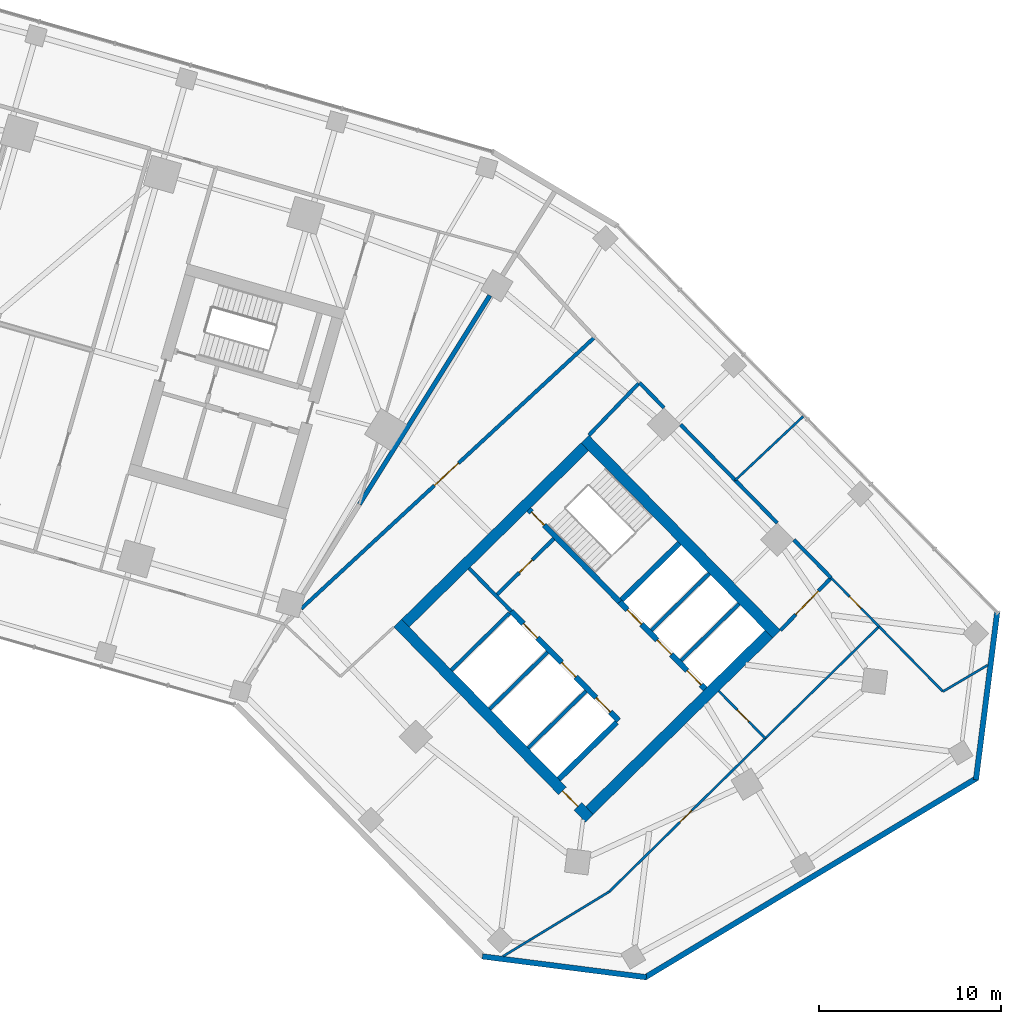
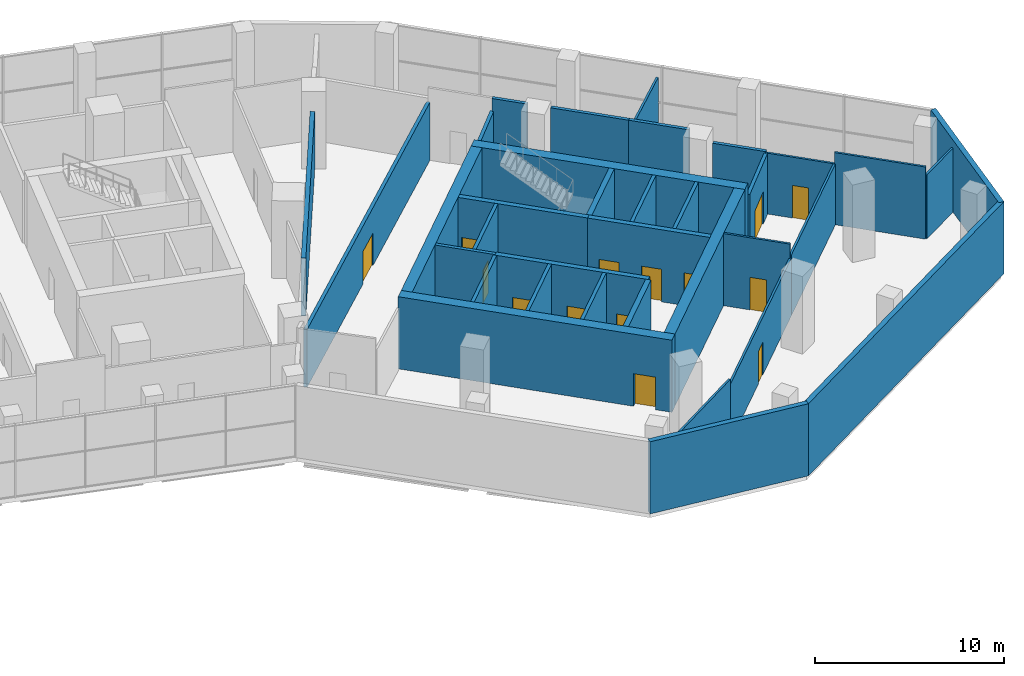
# One storey, part 14 of 18: 35 walls, 14 doors, 14 openings.
"""IFC4 building model written with IfcOpenShell, lengths in metres."""

from ifc_helpers import new_model, si_unit, direction, frame, frame_2d, origin, place, context, subcontext, project, spatial, rectangle, extrude, material, layer, layer_set, type_object, element, fill, save


model = new_model("IFC4")

# Units and contexts
model_context = context("Model", 3, precision=1e-05, world=origin(), true_north=direction((0.0, 1.0)))
body_context = subcontext(model_context, "Body", "Model", "MODEL_VIEW")
ifc_project = project(units=[si_unit("LENGTHUNIT", "METRE"), si_unit("AREAUNIT", "SQUARE_METRE"), si_unit("VOLUMEUNIT", "CUBIC_METRE"), si_unit("PLANEANGLEUNIT", "RADIAN"), si_unit("MASSUNIT", "GRAM", prefix="KILO")], contexts=[model_context])

# Site, building, storey
site_placement = place(None, origin())
site = spatial("IfcSite", under=ifc_project, at=site_placement, CompositionType="ELEMENT")
building_placement = place(site_placement, origin())
building = spatial("IfcBuilding", under=site, at=building_placement, Name="Binnacle Exchange Tower", CompositionType="ELEMENT")
storey_placement = place(building_placement, frame((0.0, 0.0, 11.5)))
storey = spatial("IfcBuildingStorey", under=building, at=storey_placement, Name="L02", CompositionType="ELEMENT", Elevation=11.5)

# Wall, openings, doors
ifc_material_1 = material(Name="Concrete C70/85", Category="concrete")
ifc_layer_1 = layer(ifc_material_1, 0.300048828125)
ifc_layer_set_1 = layer_set([ifc_layer_1], Name="Core wall - front 300")
wall_type_1 = type_object("IfcWallType", Name="Core wall - front 300", PredefinedType="SOLIDWALL", material=ifc_layer_set_1)
wall_1_placement = place(storey_placement, frame((37.8740234375, 41.41552734375, 0.0), z_axis=(0.0, 0.0, 1.0), x_axis=(0.700918271237, -0.71324159795, 0.0)))
wall_1 = element("IfcWall", 1, at=wall_1_placement, inside=storey, type_object=wall_type_1, Name="Core wall CRWB3", PredefinedType="SOLIDWALL", context=body_context, shape_type="SweptSolid", body=[
    extrude(rectangle(XDim=8.39990234375, YDim=0.300048828125, at=frame_2d((4.199951171875, 0.0))), origin(), (0.0, 0.0, 1.0), 4.64990234375),
])
opening_1_placement = place(wall_1_placement, frame((0.949951171875, 0.0, 0.0)))
opening_1 = element("IfcOpeningElement", 2, at=opening_1_placement, cuts=wall_1, Name="Opening LD15", PredefinedType="OPENING", context=body_context, shape_type="SweptSolid", body=[
    extrude(rectangle(XDim=1.10009765625, YDim=2.10009765625, at=frame_2d((0.550048828125, 1.050048828125))), frame((0.0, 0.159912109375, 0.0), z_axis=(0.0, -1.0, 0.0), x_axis=(1.0, 0.0, 0.0)), (0.0, 0.0, 1.0), 0.320068359375),
])
opening_2_placement = place(wall_1_placement, frame((3.949951171875, 0.0, 0.0)))
opening_2 = element("IfcOpeningElement", 3, at=opening_2_placement, cuts=wall_1, Name="Opening LD16", PredefinedType="OPENING", context=body_context, shape_type="SweptSolid", body=[
    extrude(rectangle(XDim=1.10009765625, YDim=2.10009765625, at=frame_2d((0.550048828125, 1.050048828125))), frame((0.0, 0.159912109375, 0.0), z_axis=(0.0, -1.0, 0.0), x_axis=(1.0, 0.0, 0.0)), (0.0, 0.0, 1.0), 0.320068359375),
])
opening_3_placement = place(wall_1_placement, frame((6.64990234375, 0.0, 0.0)))
opening_3 = element("IfcOpeningElement", 4, at=opening_3_placement, cuts=wall_1, Name="Opening LD4", PredefinedType="OPENING", context=body_context, shape_type="SweptSolid", body=[
    extrude(rectangle(XDim=1.10009765625, YDim=2.10009765625, at=frame_2d((0.550048828125, 1.050048828125))), frame((0.0, 0.159912109375, 0.0), z_axis=(0.0, -1.0, 0.0), x_axis=(1.0, 0.0, 0.0)), (0.0, 0.0, 1.0), 0.320068359375),
])
ifc_material_2 = material(Name="Steel door leaf", Category="steel")
door_type_1 = type_object("IfcDoorType", Name="Fire door - lift landing 1100", OperationType="NOTDEFINED", PredefinedType="DOOR", material=ifc_material_2)
door_1_placement = place(opening_1_placement, origin())
door_1 = element("IfcDoor", 5, at=door_1_placement, inside=storey, type_object=door_type_1, Name="Landing door LD15 L02", OperationType="DOUBLE_DOOR_SLIDING", OverallHeight=2.10009765625, OverallWidth=1.10009765625, PredefinedType="DOOR", context=body_context, shape_type="SweptSolid", body=[
    extrude(rectangle(XDim=1.10009765625, YDim=2.10009765625, at=frame_2d((0.550048828125, 1.050048828125))), frame((0.0, 0.02490234375, 0.0), z_axis=(0.0, -1.0, 0.0), x_axis=(1.0, 0.0, 0.0)), (0.0, 0.0, 1.0), 0.050048828125),
])
fill(opening_1, door_1)
door_2_placement = place(opening_2_placement, origin())
door_2 = element("IfcDoor", 6, at=door_2_placement, inside=storey, type_object=door_type_1, Name="Landing door LD16 L02", OperationType="DOUBLE_DOOR_SLIDING", OverallHeight=2.10009765625, OverallWidth=1.10009765625, PredefinedType="DOOR", context=body_context, shape_type="SweptSolid", body=[
    extrude(rectangle(XDim=1.10009765625, YDim=2.10009765625, at=frame_2d((0.550048828125, 1.050048828125))), frame((0.0, 0.02490234375, 0.0), z_axis=(0.0, -1.0, 0.0), x_axis=(1.0, 0.0, 0.0)), (0.0, 0.0, 1.0), 0.050048828125),
])
fill(opening_2, door_2)
door_3_placement = place(opening_3_placement, origin())
door_3 = element("IfcDoor", 7, at=door_3_placement, inside=storey, type_object=door_type_1, Name="Landing door LD4 L02", OperationType="DOUBLE_DOOR_SLIDING", OverallHeight=2.10009765625, OverallWidth=1.10009765625, PredefinedType="DOOR", context=body_context, shape_type="SweptSolid", body=[
    extrude(rectangle(XDim=1.10009765625, YDim=2.10009765625, at=frame_2d((0.550048828125, 1.050048828125))), frame((0.0, 0.02490234375, 0.0), z_axis=(0.0, -1.0, 0.0), x_axis=(1.0, 0.0, 0.0)), (0.0, 0.0, 1.0), 0.050048828125),
])
fill(opening_3, door_3)

wall_2_placement = place(storey_placement, frame((43.818603515625, 41.92919921875, 0.0), z_axis=(0.0, 0.0, 1.0), x_axis=(0.700921619155, -0.713238307862, 0.0)))
wall_2 = element("IfcWall", 8, at=wall_2_placement, inside=storey, type_object=wall_type_1, Name="Core wall CRWB5", PredefinedType="SOLIDWALL", context=body_context, shape_type="SweptSolid", body=[
    extrude(rectangle(XDim=6.69970703125, YDim=0.300048828125, at=frame_2d((3.349853515625, 0.0))), origin(), (0.0, 0.0, 1.0), 4.64990234375),
])
opening_4_placement = place(wall_2_placement, frame((0.614990234375, 0.0, 0.0)))
opening_4 = element("IfcOpeningElement", 9, at=opening_4_placement, cuts=wall_2, Name="Opening LD1", PredefinedType="OPENING", context=body_context, shape_type="SweptSolid", body=[
    extrude(rectangle(XDim=1.10009765625, YDim=2.10009765625, at=frame_2d((0.550048828125, 1.050048828125))), frame((0.0, 0.159912109375, 0.0), z_axis=(0.0, -1.0, 0.0), x_axis=(1.0, 0.0, 0.0)), (0.0, 0.0, 1.0), 0.320068359375),
])
opening_5_placement = place(wall_2_placement, frame((2.945068359375, 0.0, 0.0)))
opening_5 = element("IfcOpeningElement", 10, at=opening_5_placement, cuts=wall_2, Name="Opening LD2", PredefinedType="OPENING", context=body_context, shape_type="SweptSolid", body=[
    extrude(rectangle(XDim=1.10009765625, YDim=2.10009765625, at=frame_2d((0.550048828125, 1.050048828125))), frame((0.0, 0.159912109375, 0.0), z_axis=(0.0, -1.0, 0.0), x_axis=(1.0, 0.0, 0.0)), (0.0, 0.0, 1.0), 0.320068359375),
])
opening_6_placement = place(wall_2_placement, frame((5.280029296875, 0.0, 0.0)))
opening_6 = element("IfcOpeningElement", 11, at=opening_6_placement, cuts=wall_2, Name="Opening LD3", PredefinedType="OPENING", context=body_context, shape_type="SweptSolid", body=[
    extrude(rectangle(XDim=1.10009765625, YDim=2.10009765625, at=frame_2d((0.550048828125, 1.050048828125))), frame((0.0, 0.159912109375, 0.0), z_axis=(0.0, -1.0, 0.0), x_axis=(1.0, 0.0, 0.0)), (0.0, 0.0, 1.0), 0.320068359375),
])
door_4_placement = place(opening_4_placement, origin())
door_4 = element("IfcDoor", 12, at=door_4_placement, inside=storey, type_object=door_type_1, Name="Landing door LD1 L02", OperationType="DOUBLE_DOOR_SLIDING", OverallHeight=2.10009765625, OverallWidth=1.10009765625, PredefinedType="DOOR", context=body_context, shape_type="SweptSolid", body=[
    extrude(rectangle(XDim=1.10009765625, YDim=2.10009765625, at=frame_2d((0.550048828125, 1.050048828125))), frame((0.0, 0.02490234375, 0.0), z_axis=(0.0, -1.0, 0.0), x_axis=(1.0, 0.0, 0.0)), (0.0, 0.0, 1.0), 0.050048828125),
])
fill(opening_4, door_4)
door_5_placement = place(opening_5_placement, origin())
door_5 = element("IfcDoor", 13, at=door_5_placement, inside=storey, type_object=door_type_1, Name="Landing door LD2 L02", OperationType="DOUBLE_DOOR_SLIDING", OverallHeight=2.10009765625, OverallWidth=1.10009765625, PredefinedType="DOOR", context=body_context, shape_type="SweptSolid", body=[
    extrude(rectangle(XDim=1.10009765625, YDim=2.10009765625, at=frame_2d((0.550048828125, 1.050048828125))), frame((0.0, 0.02490234375, 0.0), z_axis=(0.0, -1.0, 0.0), x_axis=(1.0, 0.0, 0.0)), (0.0, 0.0, 1.0), 0.050048828125),
])
fill(opening_5, door_5)
door_6_placement = place(opening_6_placement, origin())
door_6 = element("IfcDoor", 14, at=door_6_placement, inside=storey, type_object=door_type_1, Name="Landing door LD3 L02", OperationType="DOUBLE_DOOR_SLIDING", OverallHeight=2.10009765625, OverallWidth=1.10009765625, PredefinedType="DOOR", context=body_context, shape_type="SweptSolid", body=[
    extrude(rectangle(XDim=1.10009765625, YDim=2.10009765625, at=frame_2d((0.550048828125, 1.050048828125))), frame((0.0, 0.02490234375, 0.0), z_axis=(0.0, -1.0, 0.0), x_axis=(1.0, 0.0, 0.0)), (0.0, 0.0, 1.0), 0.050048828125),
])
fill(opening_6, door_6)

# Wall
wall_3_placement = place(storey_placement, frame((40.480712890625, 32.199951171875, 0.0), z_axis=(0.0, 0.0, 1.0), x_axis=(0.713251741427, 0.700907949271, 0.0)))
element("IfcWall", 15, at=wall_3_placement, inside=storey, type_object=wall_type_1, Name="Core wall CRWB14", PredefinedType="SOLIDWALL", context=body_context, shape_type="SweptSolid", body=[
    extrude(rectangle(XDim=4.4501953125, YDim=0.300048828125, at=frame_2d((2.22509765625, 0.0))), origin(), (0.0, 0.0, 1.0), 4.64990234375),
])

# Wall, opening, door
ifc_layer_2 = layer(ifc_material_1, 0.60009765625)
ifc_layer_set_2 = layer_set([ifc_layer_2], Name="Core wall - outer 600")
wall_type_2 = type_object("IfcWallType", Name="Core wall - outer 600", PredefinedType="SOLIDWALL", material=ifc_layer_set_2)
wall_4_placement = place(storey_placement, frame((31.6455078125, 40.7626953125, 0.0), z_axis=(0.0, 0.0, 1.0), x_axis=(0.700911255944, -0.713248491965, 0.0)))
wall_4 = element("IfcWall", 16, at=wall_4_placement, inside=storey, type_object=wall_type_2, Name="Core wall CRWB1", PredefinedType="SOLIDWALL", context=body_context, shape_type="SweptSolid", body=[
    extrude(rectangle(XDim=15.0, YDim=0.60009765625, at=frame_2d((7.5, 0.0))), origin(), (0.0, 0.0, 1.0), 4.64990234375),
])
opening_7_placement = place(wall_4_placement, frame((12.89990234375, 0.0, 0.0)))
opening_7 = element("IfcOpeningElement", 17, at=opening_7_placement, cuts=wall_4, Name="Opening DB7", PredefinedType="OPENING", context=body_context, shape_type="SweptSolid", body=[
    extrude(rectangle(XDim=1.199951171875, YDim=2.10009765625, at=frame_2d((0.60009765625, 1.050048828125))), frame((0.0, 0.31005859375, 0.0), z_axis=(0.0, -1.0, 0.0), x_axis=(1.0, 0.0, 0.0)), (0.0, 0.0, 1.0), 0.6201171875),
])
door_type_2 = type_object("IfcDoorType", Name="Fire door 1200", OperationType="NOTDEFINED", PredefinedType="DOOR", material=ifc_material_2)
door_7_placement = place(opening_7_placement, frame((1.199951171875, 0.0, 0.0), z_axis=(0.0, 0.0, 1.0), x_axis=(-1.0, 0.0, 0.0)))
door_7 = element("IfcDoor", 18, at=door_7_placement, inside=storey, type_object=door_type_2, Name="Lift lobby entrance door core B", OperationType="SINGLE_SWING_LEFT", OverallHeight=2.10009765625, OverallWidth=1.199951171875, PredefinedType="DOOR", context=body_context, shape_type="SweptSolid", body=[
    extrude(rectangle(XDim=1.199951171875, YDim=2.10009765625, at=frame_2d((0.60009765625, 1.050048828125))), frame((0.0, 0.02490234375, 0.0), z_axis=(0.0, -1.0, 0.0), x_axis=(1.0, 0.0, 0.0)), (0.0, 0.0, 1.0), 0.050048828125),
])
fill(opening_7, door_7)

# Walls
wall_5_placement = place(storey_placement, frame((41.91650390625, 50.855712890625, 0.0), z_axis=(0.0, 0.0, 1.0), x_axis=(0.700911255944, -0.713248491965, 0.0)))
element("IfcWall", 19, at=wall_5_placement, inside=storey, type_object=wall_type_2, Name="Core wall CRWB6", PredefinedType="SOLIDWALL", context=body_context, shape_type="SweptSolid", body=[
    extrude(rectangle(XDim=15.0, YDim=0.60009765625, at=frame_2d((7.5, 0.0))), origin(), (0.0, 0.0, 1.0), 4.64990234375),
])
for number, where, z_axis, x_axis, name in (
    (20, (32.06982421875, 40.759033203125, 0.0), (0.0, 0.0, 1.0), (0.713245344712, 0.70091445858, 0.0), "Core wall CRWB7"),
    (21, (42.1630859375, 30.48828125, 0.0), (0.0, 0.0, 1.0), (0.713245344712, 0.70091445858, 0.0), "Core wall CRWB16"),
):
    element("IfcWall", number, at=place(storey_placement, frame(where, z_axis=z_axis, x_axis=x_axis)), inside=storey, type_object=wall_type_2, Name=name, PredefinedType="SOLIDWALL", context=body_context, shape_type="SweptSolid", body=[
        extrude(rectangle(XDim=13.800048828125, YDim=0.60009765625, at=frame_2d((6.89990234375, 0.0))), origin(), (0.0, 0.0, 1.0), 4.64990234375),
    ])

# Wall, opening, door
ifc_layer_3 = layer(ifc_material_1, 0.300048828125)
ifc_layer_set_3 = layer_set([ifc_layer_3], Name="Core wall - stair 300")
wall_type_3 = type_object("IfcWallType", Name="Core wall - stair 300", PredefinedType="SOLIDWALL", material=ifc_layer_set_3)
wall_6_placement = place(storey_placement, frame((38.842041015625, 46.993408203125, 0.0), z_axis=(0.0, 0.0, 1.0), x_axis=(0.700907701701, -0.713251984713, 0.0)))
wall_6 = element("IfcWall", 22, at=wall_6_placement, inside=storey, type_object=wall_type_3, Name="Core wall CRWB4", PredefinedType="SOLIDWALL", context=body_context, shape_type="SweptSolid", body=[
    extrude(rectangle(XDim=7.10009765625, YDim=0.300048828125, at=frame_2d((3.550048828125, 0.0))), origin(), (0.0, 0.0, 1.0), 4.64990234375),
])
opening_8_placement = place(wall_6_placement, frame((0.199951171875, 0.0, 0.0)))
opening_8 = element("IfcOpeningElement", 23, at=opening_8_placement, cuts=wall_6, Name="Opening DB1", PredefinedType="OPENING", context=body_context, shape_type="SweptSolid", body=[
    extrude(rectangle(XDim=1.0, YDim=2.10009765625, at=frame_2d((0.5, 1.050048828125))), frame((0.0, 0.159912109375, 0.0), z_axis=(0.0, -1.0, 0.0), x_axis=(1.0, 0.0, 0.0)), (0.0, 0.0, 1.0), 0.320068359375),
])
door_type_3 = type_object("IfcDoorType", Name="Fire door 1000", OperationType="NOTDEFINED", PredefinedType="DOOR", material=ifc_material_2)
door_8_placement = place(opening_8_placement, origin())
door_8 = element("IfcDoor", 24, at=door_8_placement, inside=storey, type_object=door_type_3, Name="Stair door ST-B1", OperationType="SINGLE_SWING_LEFT", OverallHeight=2.10009765625, OverallWidth=1.0, PredefinedType="DOOR", context=body_context, shape_type="SweptSolid", body=[
    extrude(rectangle(XDim=1.0, YDim=2.10009765625, at=frame_2d((0.5, 1.050048828125))), frame((0.0, 0.02490234375, 0.0), z_axis=(0.0, -1.0, 0.0), x_axis=(1.0, 0.0, 0.0)), (0.0, 0.0, 1.0), 0.050048828125),
])
fill(opening_8, door_8)

# Walls
wall_7_placement = place(storey_placement, frame((43.925537109375, 42.034423828125, 0.0), z_axis=(0.0, 0.0, 1.0), x_axis=(0.713251741427, 0.700907949271, 0.0)))
element("IfcWall", 25, at=wall_7_placement, inside=storey, type_object=wall_type_3, Name="Core wall CRWB11", PredefinedType="SOLIDWALL", context=body_context, shape_type="SweptSolid", body=[
    extrude(rectangle(XDim=4.4501953125, YDim=0.300048828125, at=frame_2d((2.22509765625, 0.0))), origin(), (0.0, 0.0, 1.0), 4.64990234375),
])
ifc_material_3 = material(Name="Bronze aluminium louvre", Category="aluminium")
ifc_layer_4 = layer(ifc_material_3, 0.300048828125)
ifc_layer_set_4 = layer_set([ifc_layer_4], Name="External wall - podium louvre 300")
wall_type_4 = type_object("IfcWallType", Name="External wall - podium louvre 300", PredefinedType="STANDARD", material=ifc_layer_set_4)
wall_8_placement = place(storey_placement, frame((45.28466796875, 21.339111328125, 0.0), z_axis=(0.0, 0.0, 1.0), x_axis=(-0.992004224696, 0.126204667844, 0.0)))
element("IfcWall", 26, at=wall_8_placement, inside=storey, type_object=wall_type_4, Name="External wall EW-P09 L02", PredefinedType="STANDARD", context=body_context, shape_type="SweptSolid", body=[
    extrude(rectangle(XDim=9.06884765625, YDim=0.300048828125, at=frame_2d((4.534423828125, 0.0))), origin(), (0.0, 0.0, 1.0), 4.64990234375),
])
wall_9_placement = place(storey_placement, frame((63.432373046875, 32.28076171875, 0.0), z_axis=(0.0, 0.0, 1.0), x_axis=(-0.85716989082, -0.515033764206, 0.0)))
element("IfcWall", 27, at=wall_9_placement, inside=storey, type_object=wall_type_4, Name="External wall EW-P10 L02", PredefinedType="STANDARD", context=body_context, shape_type="SweptSolid", body=[
    extrude(rectangle(XDim=21.283935546875, YDim=0.300048828125, at=frame_2d((10.64208984375, 0.0))), origin(), (0.0, 0.0, 1.0), 4.64990234375),
])
wall_10_placement = place(storey_placement, frame((64.5341796875, 41.39453125, 0.0), z_axis=(0.0, 0.0, 1.0), x_axis=(-0.126196492818, -0.992005264704, 0.0)))
element("IfcWall", 28, at=wall_10_placement, inside=storey, type_object=wall_type_4, Name="External wall EW-P11 L02", PredefinedType="STANDARD", context=body_context, shape_type="SweptSolid", body=[
    extrude(rectangle(XDim=9.297607421875, YDim=0.300048828125, at=frame_2d((4.64892578125, 0.0))), origin(), (0.0, 0.0, 1.0), 4.64990234375),
])

# Wall, opening, door
ifc_material_4 = material(Name="Masonry block wall", Category="masonry")
ifc_layer_5 = layer(ifc_material_4, 0.199951171875)
ifc_layer_set_5 = layer_set([ifc_layer_5], Name="Fire wall - block 200")
wall_type_5 = type_object("IfcWallType", Name="Fire wall - block 200", PredefinedType="PARTITIONING", material=ifc_layer_set_5)
wall_11_placement = place(storey_placement, frame((26.35595703125, 41.556884765625, 0.0), z_axis=(0.0, 0.0, 1.0), x_axis=(0.734047402287, 0.679098233834, 0.0)))
wall_11 = element("IfcWall", 29, at=wall_11_placement, inside=storey, type_object=wall_type_5, Name="Partition W71", PredefinedType="PARTITIONING", context=body_context, shape_type="SweptSolid", body=[
    extrude(rectangle(XDim=21.92626953125, YDim=0.199951171875, at=frame_2d((10.963134765625, 0.0))), origin(), (0.0, 0.0, 1.0), 3.72998046875),
])
opening_9_placement = place(wall_11_placement, frame((9.949951171875, 0.0, 0.0)))
opening_9 = element("IfcOpeningElement", 30, at=opening_9_placement, cuts=wall_11, Name="Opening DL01-29", PredefinedType="OPENING", context=body_context, shape_type="SweptSolid", body=[
    extrude(rectangle(XDim=1.800048828125, YDim=2.10009765625, at=frame_2d((0.89990234375, 1.050048828125))), frame((0.0, 0.10986328125, 0.0), z_axis=(0.0, -1.0, 0.0), x_axis=(1.0, 0.0, 0.0)), (0.0, 0.0, 1.0), 0.219970703125),
])
door_type_4 = type_object("IfcDoorType", Name="Fire door 1800", OperationType="NOTDEFINED", PredefinedType="DOOR", material=ifc_material_2)
door_9_placement = place(opening_9_placement, origin())
door_9 = element("IfcDoor", 31, at=door_9_placement, inside=storey, type_object=door_type_4, Name="Door DL01-29", OperationType="DOUBLE_DOOR_SINGLE_SWING", OverallHeight=2.10009765625, OverallWidth=1.800048828125, PredefinedType="DOOR", context=body_context, shape_type="SweptSolid", body=[
    extrude(rectangle(XDim=1.800048828125, YDim=2.10009765625, at=frame_2d((0.89990234375, 1.050048828125))), frame((0.0, 0.02490234375, 0.0), z_axis=(0.0, -1.0, 0.0), x_axis=(1.0, 0.0, 0.0)), (0.0, 0.0, 1.0), 0.050048828125),
])
fill(opening_9, door_9)

# Walls
wall_12_placement = place(storey_placement, frame((42.1298828125, 51.06591796875, 0.0), z_axis=(0.0, 0.0, 1.0), x_axis=(0.693124563472, 0.720817826855, 0.0)))
element("IfcWall", 32, at=wall_12_placement, inside=storey, type_object=wall_type_5, Name="Partition W84", PredefinedType="PARTITIONING", context=body_context, shape_type="SweptSolid", body=[
    extrude(rectangle(XDim=4.00244140625, YDim=0.199951171875, at=frame_2d((2.001220703125, 0.0))), origin(), (0.0, 0.0, 1.0), 3.830078125),
])
wall_13_placement = place(storey_placement, frame((44.904052734375, 53.950927734375, 0.0), z_axis=(0.0, 0.0, 1.0), x_axis=(0.7008501288, -0.713308556629, 0.0)))
element("IfcWall", 33, at=wall_13_placement, inside=storey, type_object=wall_type_5, Name="Partition W87", PredefinedType="PARTITIONING", context=body_context, shape_type="SweptSolid", body=[
    extrude(rectangle(XDim=1.92041015625, YDim=0.199951171875, at=frame_2d((0.960205078125, 0.0))), origin(), (0.0, 0.0, 1.0), 4.64990234375),
])
wall_14_placement = place(storey_placement, frame((47.162109375, 51.654052734375, 0.0), z_axis=(0.0, 0.0, 1.0), x_axis=(0.700745868246, -0.713410981228, 0.0)))
element("IfcWall", 34, at=wall_14_placement, inside=storey, type_object=wall_type_5, Name="Partition W88", PredefinedType="PARTITIONING", context=body_context, shape_type="SweptSolid", body=[
    extrude(rectangle(XDim=4.279296875, YDim=0.199951171875, at=frame_2d((2.1396484375, 0.0))), origin(), (0.0, 0.0, 1.0), 4.64990234375),
])
wall_15_placement = place(storey_placement, frame((50.160888671875, 48.60107421875, 0.0), z_axis=(0.0, 0.0, 1.0), x_axis=(0.701000458272, -0.713160821626, 0.0)))
element("IfcWall", 35, at=wall_15_placement, inside=storey, type_object=wall_type_5, Name="Partition W90", PredefinedType="PARTITIONING", context=body_context, shape_type="SweptSolid", body=[
    extrude(rectangle(XDim=3.29248046875, YDim=0.199951171875, at=frame_2d((1.646240234375, 0.0))), origin(), (0.0, 0.0, 1.0), 4.64990234375),
])

# Wall, opening, door
wall_16_placement = place(storey_placement, frame((52.64404296875, 40.366943359375, 0.0), z_axis=(0.0, 0.0, 1.0), x_axis=(0.693092868026, 0.720848303245, 0.0)))
wall_16 = element("IfcWall", 36, at=wall_16_placement, inside=storey, type_object=wall_type_5, Name="Partition W93", PredefinedType="PARTITIONING", context=body_context, shape_type="SweptSolid", body=[
    extrude(rectangle(XDim=4.002197265625, YDim=0.199951171875, at=frame_2d((2.0009765625, 0.0))), origin(), (0.0, 0.0, 1.0), 3.922119140625),
])
opening_10_placement = place(wall_16_placement, frame((1.199951171875, 0.0, 0.0)))
opening_10 = element("IfcOpeningElement", 37, at=opening_10_placement, cuts=wall_16, Name="Opening DL01-31", PredefinedType="OPENING", context=body_context, shape_type="SweptSolid", body=[
    extrude(rectangle(XDim=1.800048828125, YDim=2.10009765625, at=frame_2d((0.89990234375, 1.050048828125))), frame((0.0, 0.10986328125, 0.0), z_axis=(0.0, -1.0, 0.0), x_axis=(1.0, 0.0, 0.0)), (0.0, 0.0, 1.0), 0.219970703125),
])
door_10_placement = place(opening_10_placement, origin())
door_10 = element("IfcDoor", 38, at=door_10_placement, inside=storey, type_object=door_type_4, Name="Door DL01-31", OperationType="DOUBLE_DOOR_SINGLE_SWING", OverallHeight=2.10009765625, OverallWidth=1.800048828125, PredefinedType="DOOR", context=body_context, shape_type="SweptSolid", body=[
    extrude(rectangle(XDim=1.800048828125, YDim=2.10009765625, at=frame_2d((0.89990234375, 1.050048828125))), frame((0.0, 0.02490234375, 0.0), z_axis=(0.0, -1.0, 0.0), x_axis=(1.0, 0.0, 0.0)), (0.0, 0.0, 1.0), 0.050048828125),
])
fill(opening_10, door_10)

# Walls
wall_17_placement = place(storey_placement, frame((53.3798828125, 45.325927734375, 0.0), z_axis=(0.0, 0.0, 1.0), x_axis=(0.700908698341, -0.71325100532, 0.0)))
element("IfcWall", 39, at=wall_17_placement, inside=storey, type_object=wall_type_5, Name="Partition W94", PredefinedType="PARTITIONING", context=body_context, shape_type="SweptSolid", body=[
    extrude(rectangle(XDim=2.90771484375, YDim=0.199951171875, at=frame_2d((1.453857421875, 0.0))), origin(), (0.0, 0.0, 1.0), 4.030029296875),
])
ifc_material_5 = material(Name="Concrete fire wall C30/37", Category="concrete")
ifc_layer_6 = layer(ifc_material_5, 0.25)
ifc_layer_set_6 = layer_set([ifc_layer_6], Name="Fire wall - compartment 250")
wall_type_6 = type_object("IfcWallType", Name="Fire wall - compartment 250", PredefinedType="PARTITIONING", material=ifc_layer_set_6)
wall_18_placement = place(storey_placement, frame((29.54296875, 47.279052734375, 0.0), z_axis=(0.0, 0.0, 1.0), x_axis=(0.529929076845, 0.848041964477, 0.0)))
element("IfcWall", 40, at=wall_18_placement, inside=storey, type_object=wall_type_6, Name="Fire Wall W76", PredefinedType="PARTITIONING", context=body_context, shape_type="SweptSolid", body=[
    extrude(rectangle(XDim=13.50732421875, YDim=0.25, at=frame_2d((6.753662109375, 0.0))), origin(), (0.0, 0.0, 1.0), 3.72998046875),
])

# Wall, opening, door
ifc_layer_7 = layer(ifc_material_4, 0.199951171875)
ifc_layer_set_7 = layer_set([ifc_layer_7], Name="Fire wall - vestibule 200")
wall_type_7 = type_object("IfcWallType", Name="Fire wall - vestibule 200", PredefinedType="PARTITIONING", material=ifc_layer_set_7)
wall_19_placement = place(storey_placement, frame((37.104248046875, 42.341552734375, 0.0), z_axis=(0.0, 0.0, 1.0), x_axis=(0.713281298468, 0.700877870428, 0.0)))
wall_19 = element("IfcWall", 41, at=wall_19_placement, inside=storey, type_object=wall_type_7, Name="Core wall CRWB8", PredefinedType="PARTITIONING", context=body_context, shape_type="SweptSolid", body=[
    extrude(rectangle(XDim=4.35009765625, YDim=0.199951171875, at=frame_2d((2.175048828125, 0.0))), origin(), (0.0, 0.0, 1.0), 4.64990234375),
])
opening_11_placement = place(wall_19_placement, frame((1.699951171875, 0.0, 0.0)))
opening_11 = element("IfcOpeningElement", 42, at=opening_11_placement, cuts=wall_19, Name="Opening DB3", PredefinedType="OPENING", context=body_context, shape_type="SweptSolid", body=[
    extrude(rectangle(XDim=1.0, YDim=2.10009765625, at=frame_2d((0.5, 1.050048828125))), frame((0.0, 0.10986328125, 0.0), z_axis=(0.0, -1.0, 0.0), x_axis=(1.0, 0.0, 0.0)), (0.0, 0.0, 1.0), 0.219970703125),
])
door_11_placement = place(opening_11_placement, origin())
door_11 = element("IfcDoor", 43, at=door_11_placement, inside=storey, type_object=door_type_3, Name="Vestibule door VEST-W", OperationType="SINGLE_SWING_RIGHT", OverallHeight=2.10009765625, OverallWidth=1.0, PredefinedType="DOOR", context=body_context, shape_type="SweptSolid", body=[
    extrude(rectangle(XDim=1.0, YDim=2.10009765625, at=frame_2d((0.5, 1.050048828125))), frame((0.0, 0.02490234375, 0.0), z_axis=(0.0, -1.0, 0.0), x_axis=(1.0, 0.0, 0.0)), (0.0, 0.0, 1.0), 0.050048828125),
])
fill(opening_11, door_11)

# Wall
ifc_material_6 = material(Name="Gypsum partition")
ifc_layer_8 = layer(ifc_material_6, 0.125)
ifc_layer_set_8 = layer_set([ifc_layer_8], Name="Partition 125")
wall_type_8 = type_object("IfcWallType", Name="Partition 125", PredefinedType="PARTITIONING", material=ifc_layer_set_8)
wall_20_placement = place(storey_placement, frame((37.426025390625, 22.489990234375, 0.0), z_axis=(0.0, 0.0, 1.0), x_axis=(0.854177797602, 0.519981047812, 0.0)))
element("IfcWall", 44, at=wall_20_placement, inside=storey, type_object=wall_type_8, Name="Partition W81", PredefinedType="PARTITIONING", context=body_context, shape_type="SweptSolid", body=[
    extrude(rectangle(XDim=6.813720703125, YDim=0.125, at=frame_2d((3.40673828125, 0.0))), origin(), (0.0, 0.0, 1.0), 4.02392578125),
])

# Wall, opening, door
wall_21_placement = place(storey_placement, frame((43.24609375, 26.032958984375, 0.0), z_axis=(0.0, 0.0, 1.0), x_axis=(0.713234358052, 0.700925638349, 0.0)))
wall_21 = element("IfcWall", 45, at=wall_21_placement, inside=storey, type_object=wall_type_8, Name="Partition W86", PredefinedType="PARTITIONING", context=body_context, shape_type="SweptSolid", body=[
    extrude(rectangle(XDim=12.0, YDim=0.125, at=frame_2d((6.0, 0.0))), origin(), (0.0, 0.0, 1.0), 3.718017578125),
])
opening_12_placement = place(wall_21_placement, frame((5.449951171875, 0.0, 0.0)))
opening_12 = element("IfcOpeningElement", 46, at=opening_12_placement, cuts=wall_21, Name="Opening DL01-30", PredefinedType="OPENING", context=body_context, shape_type="SweptSolid", body=[
    extrude(rectangle(XDim=0.89990234375, YDim=2.10009765625, at=frame_2d((0.449951171875, 1.050048828125))), frame((0.0, 0.072509765625, 0.0), z_axis=(0.0, -1.0, 0.0), x_axis=(1.0, 0.0, 0.0)), (0.0, 0.0, 1.0), 0.14501953125),
])
ifc_material_7 = material(Name="Timber door leaf", Category="wood")
door_type_5 = type_object("IfcDoorType", Name="Door 900", OperationType="NOTDEFINED", PredefinedType="DOOR", material=ifc_material_7)
door_12_placement = place(opening_12_placement, frame((0.89990234375, 0.0, 0.0), z_axis=(0.0, 0.0, 1.0), x_axis=(-1.0, 0.0, 0.0)))
door_12 = element("IfcDoor", 47, at=door_12_placement, inside=storey, type_object=door_type_5, Name="Door DL01-30", OperationType="SINGLE_SWING_RIGHT", OverallHeight=2.10009765625, OverallWidth=0.89990234375, PredefinedType="DOOR", context=body_context, shape_type="SweptSolid", body=[
    extrude(rectangle(XDim=0.89990234375, YDim=2.10009765625, at=frame_2d((0.449951171875, 1.050048828125))), frame((0.0, 0.02490234375, 0.0), z_axis=(0.0, -1.0, 0.0), x_axis=(1.0, 0.0, 0.0)), (0.0, 0.0, 1.0), 0.050048828125),
])
fill(opening_12, door_12)

wall_22_placement = place(storey_placement, frame((49.256103515625, 37.0380859375, 0.0), z_axis=(0.0, 0.0, 1.0), x_axis=(0.700869700408, -0.713289326325, 0.0)))
wall_22 = element("IfcWall", 48, at=wall_22_placement, inside=storey, type_object=wall_type_8, Name="Partition W89", PredefinedType="PARTITIONING", context=body_context, shape_type="SweptSolid", body=[
    extrude(rectangle(XDim=3.63671875, YDim=0.125, at=frame_2d((1.818359375, 0.0))), origin(), (0.0, 0.0, 1.0), 4.64990234375),
])
opening_13_placement = place(wall_22_placement, frame((1.449951171875, 0.0, 0.0)))
opening_13 = element("IfcOpeningElement", 49, at=opening_13_placement, cuts=wall_22, Name="Opening DL01-26", PredefinedType="OPENING", context=body_context, shape_type="SweptSolid", body=[
    extrude(rectangle(XDim=0.89990234375, YDim=2.10009765625, at=frame_2d((0.449951171875, 1.050048828125))), frame((0.0, 0.072509765625, 0.0), z_axis=(0.0, -1.0, 0.0), x_axis=(1.0, 0.0, 0.0)), (0.0, 0.0, 1.0), 0.14501953125),
])
door_13_placement = place(opening_13_placement, origin())
door_13 = element("IfcDoor", 50, at=door_13_placement, inside=storey, type_object=door_type_5, Name="Door DL01-26", OperationType="SINGLE_SWING_RIGHT", OverallHeight=2.10009765625, OverallWidth=0.89990234375, PredefinedType="DOOR", context=body_context, shape_type="SweptSolid", body=[
    extrude(rectangle(XDim=0.89990234375, YDim=2.10009765625, at=frame_2d((0.449951171875, 1.050048828125))), frame((0.0, 0.02490234375, 0.0), z_axis=(0.0, -1.0, 0.0), x_axis=(1.0, 0.0, 0.0)), (0.0, 0.0, 1.0), 0.050048828125),
])
fill(opening_13, door_13)

# Walls
wall_23_placement = place(storey_placement, frame((50.160888671875, 48.60107421875, 0.0), z_axis=(0.0, 0.0, 1.0), x_axis=(0.728418768666, 0.685132175172, 0.0)))
element("IfcWall", 51, at=wall_23_placement, inside=storey, type_object=wall_type_8, Name="Partition W91", PredefinedType="PARTITIONING", context=body_context, shape_type="SweptSolid", body=[
    extrude(rectangle(XDim=5.10986328125, YDim=0.125, at=frame_2d((2.554931640625, 0.0))), origin(), (0.0, 0.0, 1.0), 3.929931640625),
])
wall_24_placement = place(storey_placement, frame((51.804931640625, 34.444091796875, 0.0), z_axis=(0.0, 0.0, 1.0), x_axis=(0.713260075739, 0.700899468081, 0.0)))
element("IfcWall", 52, at=wall_24_placement, inside=storey, type_object=wall_type_8, Name="Partition W92", PredefinedType="PARTITIONING", context=body_context, shape_type="SweptSolid", body=[
    extrude(rectangle(XDim=8.75, YDim=0.125, at=frame_2d((4.375, 0.0))), origin(), (0.0, 0.0, 1.0), 3.922119140625),
])

# Wall, opening, door
wall_25_placement = place(storey_placement, frame((55.41796875, 43.251953125, 0.0), z_axis=(0.0, 0.0, 1.0), x_axis=(0.700796183651, -0.71336155558, 0.0)))
wall_25 = element("IfcWall", 53, at=wall_25_placement, inside=storey, type_object=wall_type_8, Name="Partition W95", PredefinedType="PARTITIONING", context=body_context, shape_type="SweptSolid", body=[
    extrude(rectangle(XDim=3.75, YDim=0.125, at=frame_2d((1.875, 0.0))), origin(), (0.0, 0.0, 1.0), 3.922119140625),
])
opening_14_placement = place(wall_25_placement, frame((1.449951171875, 0.0, 0.0)))
opening_14 = element("IfcOpeningElement", 54, at=opening_14_placement, cuts=wall_25, Name="Opening DL01-28", PredefinedType="OPENING", context=body_context, shape_type="SweptSolid", body=[
    extrude(rectangle(XDim=0.89990234375, YDim=2.10009765625, at=frame_2d((0.449951171875, 1.050048828125))), frame((0.0, 0.072509765625, 0.0), z_axis=(0.0, -1.0, 0.0), x_axis=(1.0, 0.0, 0.0)), (0.0, 0.0, 1.0), 0.14501953125),
])
door_14_placement = place(opening_14_placement, origin())
door_14 = element("IfcDoor", 55, at=door_14_placement, inside=storey, type_object=door_type_5, Name="Door DL01-28", OperationType="SINGLE_SWING_RIGHT", OverallHeight=2.10009765625, OverallWidth=0.89990234375, PredefinedType="DOOR", context=body_context, shape_type="SweptSolid", body=[
    extrude(rectangle(XDim=0.89990234375, YDim=2.10009765625, at=frame_2d((0.449951171875, 1.050048828125))), frame((0.0, 0.02490234375, 0.0), z_axis=(0.0, -1.0, 0.0), x_axis=(1.0, 0.0, 0.0)), (0.0, 0.0, 1.0), 0.050048828125),
])
fill(opening_14, door_14)

# Walls
wall_26_placement = place(storey_placement, frame((58.0458984375, 40.576904296875, 0.0), z_axis=(0.0, 0.0, 1.0), x_axis=(0.700902402088, -0.713257192566, 0.0)))
element("IfcWall", 56, at=wall_26_placement, inside=storey, type_object=wall_type_8, Name="Partition W96", PredefinedType="PARTITIONING", context=body_context, shape_type="SweptSolid", body=[
    extrude(rectangle(XDim=4.99951171875, YDim=0.125, at=frame_2d((2.499755859375, 0.0))), origin(), (0.0, 0.0, 1.0), 4.64990234375),
])
wall_27_placement = place(storey_placement, frame((61.550048828125, 37.010986328125, 0.0), z_axis=(0.0, 0.0, 1.0), x_axis=(0.86118844999, 0.508285799136, 0.0)))
element("IfcWall", 57, at=wall_27_placement, inside=storey, type_object=wall_type_8, Name="Partition W97", PredefinedType="PARTITIONING", context=body_context, shape_type="SweptSolid", body=[
    extrude(rectangle(XDim=2.8564453125, YDim=0.125, at=frame_2d((1.42822265625, 0.0))), origin(), (0.0, 0.0, 1.0), 4.1240234375),
])
ifc_layer_9 = layer(ifc_material_4, 0.199951171875)
ifc_layer_set_9 = layer_set([ifc_layer_9], Name="Riser wall 200")
wall_type_9 = type_object("IfcWallType", Name="Riser wall 200", PredefinedType="SOLIDWALL", material=ifc_layer_set_9)
wall_28_placement = place(storey_placement, frame((35.56103515625, 43.769287109375, 0.0), z_axis=(0.0, 0.0, 1.0), x_axis=(0.70090232736, -0.713257266, 0.0)))
element("IfcWall", 58, at=wall_28_placement, inside=storey, type_object=wall_type_9, Name="Core wall CRWB2", PredefinedType="SOLIDWALL", context=body_context, shape_type="SweptSolid", body=[
    extrude(rectangle(XDim=3.300048828125, YDim=0.199951171875, at=frame_2d((1.64990234375, 0.0))), origin(), (0.0, 0.0, 1.0), 4.64990234375),
])
wall_29_placement = place(storey_placement, frame((34.59326171875, 38.19140625, 0.0), z_axis=(0.0, 0.0, 1.0), x_axis=(0.713252216116, 0.700907466222, 0.0)))
element("IfcWall", 59, at=wall_29_placement, inside=storey, type_object=wall_type_9, Name="Core wall CRWB9", PredefinedType="SOLIDWALL", context=body_context, shape_type="SweptSolid", body=[
    extrude(rectangle(XDim=4.44970703125, YDim=0.199951171875, at=frame_2d((2.224853515625, 0.0))), origin(), (0.0, 0.0, 1.0), 4.64990234375),
])
ifc_layer_10 = layer(ifc_material_4, 0.199951171875)
ifc_layer_set_10 = layer_set([ifc_layer_10], Name="Shaft wall 200")
wall_type_10 = type_object("IfcWallType", Name="Shaft wall 200", PredefinedType="SOLIDWALL", material=ifc_layer_set_10)
for number, where, z_axis, x_axis, name in (
    (60, (36.69580078125, 36.051513671875, 0.0), (0.0, 0.0, 1.0), (0.713251741427, 0.700907949271, 0.0), "Core wall CRWB10"),
    (61, (38.798583984375, 33.911865234375, 0.0), (0.0, 0.0, 1.0), (0.713251741427, 0.700907949271, 0.0), "Core wall CRWB12"),
    (62, (45.55859375, 40.37255859375, 0.0), (0.0, 0.0, 1.0), (0.713251741427, 0.700907949271, 0.0), "Core wall CRWB13"),
    (63, (47.191650390625, 38.710693359375, 0.0), (0.0, 0.0, 1.0), (0.713251741427, 0.700907949271, 0.0), "Core wall CRWB15"),
):
    element("IfcWall", number, at=place(storey_placement, frame(where, z_axis=z_axis, x_axis=x_axis)), inside=storey, type_object=wall_type_10, Name=name, PredefinedType="SOLIDWALL", context=body_context, shape_type="SweptSolid", body=[
        extrude(rectangle(XDim=4.4501953125, YDim=0.199951171875, at=frame_2d((2.22509765625, 0.0))), origin(), (0.0, 0.0, 1.0), 4.64990234375),
    ])

save(model, "model.ifc")
